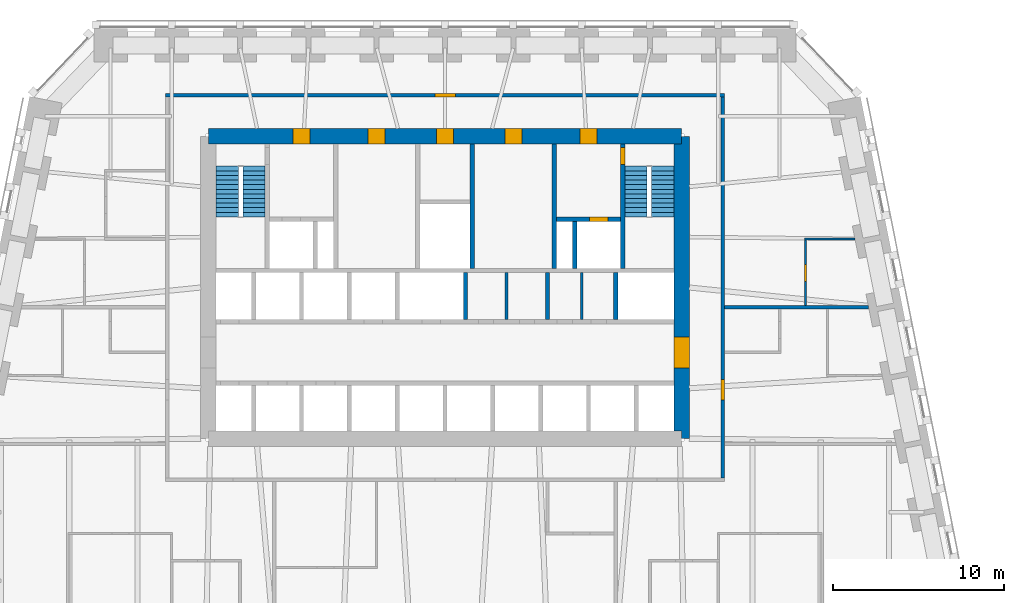
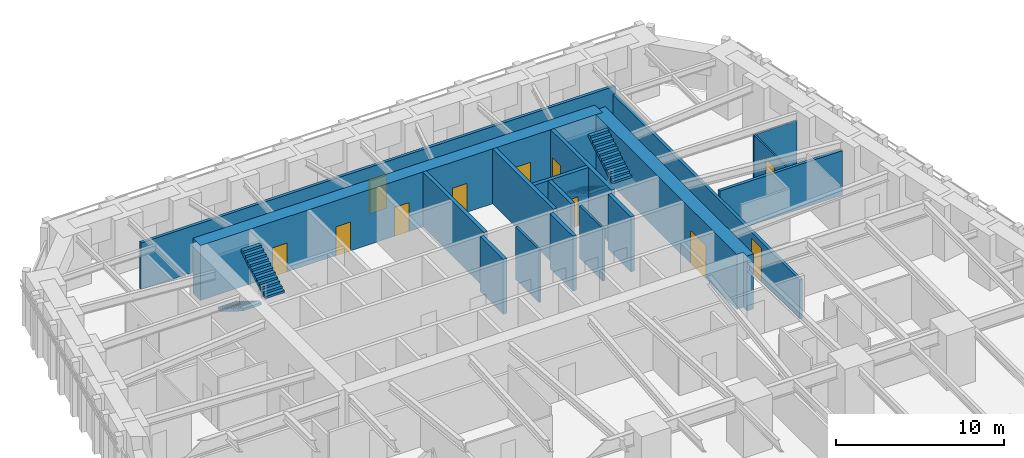
# One storey, part 14 of 16: 17 walls, 11 doors, 4 stair flights, 11 openings, 2 elements without a shape of their own.
"""IFC4 building model written with IfcOpenShell, lengths in metres."""

from ifc_helpers import new_model, si_unit, direction, frame, frame_2d, origin, place, context, subcontext, project, spatial, polyline, rectangle, outline, extrude, material, layer, layer_set, type_object, element, fill, aggregate, save


model = new_model("IFC4")

# Units and contexts
model_context = context("Model", 3, precision=1e-05, world=origin(), true_north=direction((0.0, 1.0)))
body_context = subcontext(model_context, "Body", "Model", "MODEL_VIEW")
ifc_project = project(units=[si_unit("LENGTHUNIT", "METRE"), si_unit("AREAUNIT", "SQUARE_METRE"), si_unit("VOLUMEUNIT", "CUBIC_METRE"), si_unit("PLANEANGLEUNIT", "RADIAN"), si_unit("MASSUNIT", "GRAM", prefix="KILO")], contexts=[model_context])

# Site, building, storey
site_placement = place(None, origin())
site = spatial("IfcSite", under=ifc_project, at=site_placement, CompositionType="ELEMENT")
building_placement = place(site_placement, origin())
building = spatial("IfcBuilding", under=site, at=building_placement, Name="Isbrekke Arena Tower", CompositionType="ELEMENT")
storey_placement = place(building_placement, frame((0.0, 0.0, 40.0)))
storey = spatial("IfcBuildingStorey", under=building, at=storey_placement, Name="L07", CompositionType="ELEMENT", Elevation=40.0)

# Wall, opening, door
ifc_material_1 = material(Name="Concrete B65 (C65/80)", Category="concrete")
ifc_layer_1 = layer(ifc_material_1, 0.89990234375)
ifc_layer_set_1 = layer_set([ifc_layer_1], Name="CW2 CORE WALL 900")
wall_type_1 = type_object("IfcWallType", Name="CW2 CORE WALL 900", PredefinedType="SHEAR", material=ifc_layer_set_1)
wall_1_placement = place(storey_placement, frame((13.85009765625, 6.14990234375, 0.0), z_axis=(0.0, 0.0, 1.0), x_axis=(0.0, 1.0, 0.0)))
wall_1 = element("IfcWall", 1, at=wall_1_placement, inside=storey, type_object=wall_type_1, Name="Core wall E L07", PredefinedType="SHEAR", context=body_context, shape_type="SweptSolid", body=[
    extrude(outline(polyline([(0.0, -0.449951171875), (17.7001953125, -0.449951171875), (17.7001953125, 0.0), (17.250244140625, 0.0), (17.250244140625, 0.449951171875), (0.449951171875, 0.449951171875), (0.449951171875, 0.0), (0.0, 0.0), (0.0, -0.449951171875)])), origin(), (0.0, 0.0, 1.0), 4.0),
])
opening_1_placement = place(wall_1_placement, frame((4.14990234375, 0.0, 0.0)))
opening_1 = element("IfcOpeningElement", 2, at=opening_1_placement, cuts=wall_1, Name="Opening D1", PredefinedType="OPENING", context=body_context, shape_type="SweptSolid", body=[
    extrude(rectangle(XDim=1.800048828125, YDim=2.39990234375, at=frame_2d((0.89990234375, 1.199951171875))), frame((0.0, 0.46484375, 0.0), z_axis=(0.0, -1.0, 0.0), x_axis=(1.0, 0.0, 0.0)), (0.0, 0.0, 1.0), 0.9296875),
])
ifc_material_2 = material(Name="Steel-framed glazed fire door", Category="steel")
door_type_1 = type_object("IfcDoorType", Name="D1 CORE LOBBY DOOR 1800 x 2400", OperationType="DOUBLE_DOOR_SINGLE_SWING", PredefinedType="DOOR", material=ifc_material_2)
door_1_placement = place(opening_1_placement, origin())
door_1 = element("IfcDoor", 3, at=door_1_placement, inside=storey, type_object=door_type_1, Name="D1 lift lobby door east L07", OperationType="DOUBLE_DOOR_SINGLE_SWING", OverallHeight=2.39990234375, OverallWidth=1.800048828125, PredefinedType="DOOR", context=body_context, shape_type="SweptSolid", body=[
    extrude(rectangle(XDim=1.800048828125, YDim=2.39990234375, at=frame_2d((0.89990234375, 1.199951171875))), frame((0.0, 0.44970703125, 0.0), z_axis=(0.0, -1.0, 0.0), x_axis=(1.0, 0.0, 0.0)), (0.0, 0.0, 1.0), 0.8994140625),
])
fill(opening_1, door_1)

# Wall, openings, doors
wall_2_placement = place(storey_placement, frame((13.85009765625, 23.85009765625, 0.0), z_axis=(0.0, 0.0, 1.0), x_axis=(-1.0, 0.0, 0.0)))
wall_2 = element("IfcWall", 4, at=wall_2_placement, inside=storey, type_object=wall_type_1, Name="Core wall N L07", PredefinedType="SHEAR", context=body_context, shape_type="SweptSolid", body=[
    extrude(rectangle(XDim=27.7001953125, YDim=0.89990234375, at=frame_2d((13.85009765625, 0.0))), origin(), (0.0, 0.0, 1.0), 4.0),
])
opening_2_placement = place(wall_2_placement, frame((21.75, 0.0, 0.0)))
opening_2 = element("IfcOpeningElement", 5, at=opening_2_placement, cuts=wall_2, Name="Opening D3", PredefinedType="OPENING", context=body_context, shape_type="SweptSolid", body=[
    extrude(rectangle(XDim=1.0, YDim=2.10009765625, at=frame_2d((0.5, 1.050048828125))), frame((0.0, 0.46484375, 0.0), z_axis=(0.0, -1.0, 0.0), x_axis=(1.0, 0.0, 0.0)), (0.0, 0.0, 1.0), 0.9296875),
])
opening_3_placement = place(wall_2_placement, frame((4.949951171875, 0.0, 0.0)))
opening_3 = element("IfcOpeningElement", 6, at=opening_3_placement, cuts=wall_2, Name="Opening D3", PredefinedType="OPENING", context=body_context, shape_type="SweptSolid", body=[
    extrude(rectangle(XDim=1.0, YDim=2.10009765625, at=frame_2d((0.5, 1.050048828125))), frame((0.0, 0.46484375, 0.0), z_axis=(0.0, -1.0, 0.0), x_axis=(1.0, 0.0, 0.0)), (0.0, 0.0, 1.0), 0.9296875),
])
opening_4_placement = place(wall_2_placement, frame((17.35009765625, 0.0, 0.0)))
opening_4 = element("IfcOpeningElement", 7, at=opening_4_placement, cuts=wall_2, Name="Opening D4", PredefinedType="OPENING", context=body_context, shape_type="SweptSolid", body=[
    extrude(rectangle(XDim=1.0, YDim=2.10009765625, at=frame_2d((0.5, 1.050048828125))), frame((0.0, 0.46484375, 0.0), z_axis=(0.0, -1.0, 0.0), x_axis=(1.0, 0.0, 0.0)), (0.0, 0.0, 1.0), 0.9296875),
])
opening_5_placement = place(wall_2_placement, frame((13.35009765625, 0.0, 0.0)))
opening_5 = element("IfcOpeningElement", 8, at=opening_5_placement, cuts=wall_2, Name="Opening D4", PredefinedType="OPENING", context=body_context, shape_type="SweptSolid", body=[
    extrude(rectangle(XDim=1.0, YDim=2.10009765625, at=frame_2d((0.5, 1.050048828125))), frame((0.0, 0.46484375, 0.0), z_axis=(0.0, -1.0, 0.0), x_axis=(1.0, 0.0, 0.0)), (0.0, 0.0, 1.0), 0.9296875),
])
opening_6_placement = place(wall_2_placement, frame((9.35009765625, 0.0, 0.0)))
opening_6 = element("IfcOpeningElement", 9, at=opening_6_placement, cuts=wall_2, Name="Opening D4", PredefinedType="OPENING", context=body_context, shape_type="SweptSolid", body=[
    extrude(rectangle(XDim=1.0, YDim=2.10009765625, at=frame_2d((0.5, 1.050048828125))), frame((0.0, 0.46484375, 0.0), z_axis=(0.0, -1.0, 0.0), x_axis=(1.0, 0.0, 0.0)), (0.0, 0.0, 1.0), 0.9296875),
])
ifc_material_3 = material(Name="Steel fire door", Category="steel")
door_type_2 = type_object("IfcDoorType", Name="D3 FIRE LOBBY DOOR 1000 x 2100", OperationType="SINGLE_SWING_RIGHT", PredefinedType="DOOR", material=ifc_material_3)
door_2_placement = place(opening_2_placement, origin())
door_2 = element("IfcDoor", 10, at=door_2_placement, inside=storey, type_object=door_type_2, Name="D3 fire-fighting lobby door L07", OperationType="SINGLE_SWING_RIGHT", OverallHeight=2.10009765625, OverallWidth=1.0, PredefinedType="DOOR", context=body_context, shape_type="SweptSolid", body=[
    extrude(rectangle(XDim=1.0, YDim=2.10009765625, at=frame_2d((0.5, 1.050048828125))), frame((0.0, 0.44970703125, 0.0), z_axis=(0.0, -1.0, 0.0), x_axis=(1.0, 0.0, 0.0)), (0.0, 0.0, 1.0), 0.8994140625),
])
fill(opening_2, door_2)
door_3_placement = place(opening_3_placement, origin())
door_3 = element("IfcDoor", 11, at=door_3_placement, inside=storey, type_object=door_type_2, Name="D3 fire-fighting lobby door L07", OperationType="SINGLE_SWING_RIGHT", OverallHeight=2.10009765625, OverallWidth=1.0, PredefinedType="DOOR", context=body_context, shape_type="SweptSolid", body=[
    extrude(rectangle(XDim=1.0, YDim=2.10009765625, at=frame_2d((0.5, 1.050048828125))), frame((0.0, 0.44970703125, 0.0), z_axis=(0.0, -1.0, 0.0), x_axis=(1.0, 0.0, 0.0)), (0.0, 0.0, 1.0), 0.8994140625),
])
fill(opening_3, door_3)
ifc_material_4 = material(Name="Timber door", Category="wood")
door_type_3 = type_object("IfcDoorType", Name="D4 WC DOOR 1000 x 2100", OperationType="SINGLE_SWING_LEFT", PredefinedType="DOOR", material=ifc_material_4)
door_4_placement = place(opening_4_placement, origin())
door_4 = element("IfcDoor", 12, at=door_4_placement, inside=storey, type_object=door_type_3, Name="D4 wc female door L07", OperationType="SINGLE_SWING_LEFT", OverallHeight=2.10009765625, OverallWidth=1.0, PredefinedType="DOOR", context=body_context, shape_type="SweptSolid", body=[
    extrude(rectangle(XDim=1.0, YDim=2.10009765625, at=frame_2d((0.5, 1.050048828125))), frame((0.0, 0.44970703125, 0.0), z_axis=(0.0, -1.0, 0.0), x_axis=(1.0, 0.0, 0.0)), (0.0, 0.0, 1.0), 0.8994140625),
])
fill(opening_4, door_4)
door_5_placement = place(opening_5_placement, origin())
door_5 = element("IfcDoor", 13, at=door_5_placement, inside=storey, type_object=door_type_3, Name="D4 accessible wc door L07", OperationType="SINGLE_SWING_LEFT", OverallHeight=2.10009765625, OverallWidth=1.0, PredefinedType="DOOR", context=body_context, shape_type="SweptSolid", body=[
    extrude(rectangle(XDim=1.0, YDim=2.10009765625, at=frame_2d((0.5, 1.050048828125))), frame((0.0, 0.44970703125, 0.0), z_axis=(0.0, -1.0, 0.0), x_axis=(1.0, 0.0, 0.0)), (0.0, 0.0, 1.0), 0.8994140625),
])
fill(opening_5, door_5)
door_6_placement = place(opening_6_placement, origin())
door_6 = element("IfcDoor", 14, at=door_6_placement, inside=storey, type_object=door_type_3, Name="D4 wc male door L07", OperationType="SINGLE_SWING_LEFT", OverallHeight=2.10009765625, OverallWidth=1.0, PredefinedType="DOOR", context=body_context, shape_type="SweptSolid", body=[
    extrude(rectangle(XDim=1.0, YDim=2.10009765625, at=frame_2d((0.5, 1.050048828125))), frame((0.0, 0.44970703125, 0.0), z_axis=(0.0, -1.0, 0.0), x_axis=(1.0, 0.0, 0.0)), (0.0, 0.0, 1.0), 0.8994140625),
])
fill(opening_6, door_6)

# Walls
ifc_material_5 = material(Name="Concrete B45 (C45/55)", Category="concrete")
ifc_layer_2 = layer(ifc_material_5, 0.25)
ifc_layer_set_2 = layer_set([ifc_layer_2], Name="CW6 SHAFT WALL 250")
wall_type_2 = type_object("IfcWallType", Name="CW6 SHAFT WALL 250", PredefinedType="SHEAR", material=ifc_layer_set_2)
for number, where, z_axis, x_axis, name in (
    (15, (1.199951171875, 13.125, 0.0), (0.0, 0.0, 1.0), (0.0, 1.0, 0.0), "Core wall SN05 L07"),
    (16, (6.0, 13.125, 0.0), (0.0, 0.0, 1.0), (0.0, 1.0, 0.0), "Core wall SN06 L07"),
    (17, (10.0, 13.125, 0.0), (0.0, 0.0, 1.0), (0.0, 1.0, 0.0), "Core wall SN07 L07"),
):
    element("IfcWall", number, at=place(storey_placement, frame(where, z_axis=z_axis, x_axis=x_axis)), inside=storey, type_object=wall_type_2, Name=name, PredefinedType="SHEAR", context=body_context, shape_type="SweptSolid", body=[
        extrude(rectangle(XDim=2.75, YDim=0.25, at=frame_2d((1.375, 0.0))), origin(), (0.0, 0.0, 1.0), 4.0),
    ])
for number, where, z_axis, x_axis, name in (
    (18, (1.60009765625, 16.125, 0.0), (0.0, 0.0, 1.0), (0.0, 1.0, 0.0), "Core wall NV04 L07"),
    (19, (6.39990234375, 16.125, 0.0), (0.0, 0.0, 1.0), (0.0, 1.0, 0.0), "Core wall NV05 L07"),
):
    element("IfcWall", number, at=place(storey_placement, frame(where, z_axis=z_axis, x_axis=x_axis)), inside=storey, type_object=wall_type_2, Name=name, PredefinedType="SHEAR", context=body_context, shape_type="SweptSolid", body=[
        extrude(rectangle(XDim=7.27490234375, YDim=0.25, at=frame_2d((3.637451171875, 0.0))), origin(), (0.0, 0.0, 1.0), 4.0),
    ])

# Wall, opening, door
wall_3_placement = place(storey_placement, frame((10.39990234375, 16.125, 0.0), z_axis=(0.0, 0.0, 1.0), x_axis=(0.0, 1.0, 0.0)))
wall_3 = element("IfcWall", 20, at=wall_3_placement, inside=storey, type_object=wall_type_2, Name="Core wall NV06 L07", PredefinedType="SHEAR", context=body_context, shape_type="SweptSolid", body=[
    extrude(rectangle(XDim=7.27490234375, YDim=0.25, at=frame_2d((3.637451171875, 0.0))), origin(), (0.0, 0.0, 1.0), 4.0),
])
opening_7_placement = place(wall_3_placement, frame((6.074951171875, 0.0, 0.0)))
opening_7 = element("IfcOpeningElement", 21, at=opening_7_placement, cuts=wall_3, Name="Opening D2", PredefinedType="OPENING", context=body_context, shape_type="SweptSolid", body=[
    extrude(rectangle(XDim=1.0, YDim=2.10009765625, at=frame_2d((0.5, 1.050048828125))), frame((0.0, 0.139892578125, 0.0), z_axis=(0.0, -1.0, 0.0), x_axis=(1.0, 0.0, 0.0)), (0.0, 0.0, 1.0), 0.27978515625),
])
ifc_material_6 = material(Name="Steel fire door", Category="steel")
door_type_4 = type_object("IfcDoorType", Name="D2 STAIR DOOR 1000 x 2100", OperationType="SINGLE_SWING_LEFT", PredefinedType="DOOR", material=ifc_material_6)
door_7_placement = place(opening_7_placement, origin())
door_7 = element("IfcDoor", 22, at=door_7_placement, inside=storey, type_object=door_type_4, Name="D2 stair door ST2 L07", OperationType="SINGLE_SWING_LEFT", OverallHeight=2.10009765625, OverallWidth=1.0, PredefinedType="DOOR", context=body_context, shape_type="SweptSolid", body=[
    extrude(rectangle(XDim=1.0, YDim=2.10009765625, at=frame_2d((0.5, 1.050048828125))), frame((0.0, 0.124755859375, 0.0), z_axis=(0.0, -1.0, 0.0), x_axis=(1.0, 0.0, 0.0)), (0.0, 0.0, 1.0), 0.24951171875),
])
fill(opening_7, door_7)

wall_4_placement = place(storey_placement, frame((6.52490234375, 19.0, 0.0), z_axis=(0.0, 0.0, 1.0), x_axis=(1.0, 0.0, 0.0)))
wall_4 = element("IfcWall", 23, at=wall_4_placement, inside=storey, type_object=wall_type_2, Name="Core wall NFE L07", PredefinedType="SHEAR", context=body_context, shape_type="SweptSolid", body=[
    extrude(rectangle(XDim=3.75, YDim=0.25, at=frame_2d((1.875, 0.0))), origin(), (0.0, 0.0, 1.0), 4.0),
])
opening_8_placement = place(wall_4_placement, frame((1.925048828125, 0.0, 0.0)))
opening_8 = element("IfcOpeningElement", 24, at=opening_8_placement, cuts=wall_4, Name="Opening LD2", PredefinedType="OPENING", context=body_context, shape_type="SweptSolid", body=[
    extrude(rectangle(XDim=1.10009765625, YDim=2.10009765625, at=frame_2d((0.550048828125, 1.050048828125))), frame((0.0, 0.139892578125, 0.0), z_axis=(0.0, -1.0, 0.0), x_axis=(1.0, 0.0, 0.0)), (0.0, 0.0, 1.0), 0.27978515625),
])
ifc_material_7 = material(Name="Stainless steel lift landing door", Category="steel")
door_type_5 = type_object("IfcDoorType", Name="LD2 FIRE-FIGHTING LIFT LANDING DOOR 1100 x 2100", OperationType="SLIDING_TO_RIGHT", PredefinedType="DOOR", material=ifc_material_7)
door_8_placement = place(opening_8_placement, origin())
door_8 = element("IfcDoor", 25, at=door_8_placement, inside=storey, type_object=door_type_5, Name="LD2 lift landing door LF L07", OperationType="SLIDING_TO_RIGHT", OverallHeight=2.10009765625, OverallWidth=1.10009765625, PredefinedType="DOOR", context=body_context, shape_type="SweptSolid", body=[
    extrude(rectangle(XDim=1.10009765625, YDim=2.10009765625, at=frame_2d((0.550048828125, 1.050048828125))), frame((0.0, 0.124755859375, 0.0), z_axis=(0.0, -1.0, 0.0), x_axis=(1.0, 0.0, 0.0)), (0.0, 0.0, 1.0), 0.24951171875),
])
fill(opening_8, door_8)

# Walls
wall_5_placement = place(storey_placement, frame((7.60009765625, 16.125, 0.0), z_axis=(0.0, 0.0, 1.0), x_axis=(0.0, 1.0, 0.0)))
element("IfcWall", 26, at=wall_5_placement, inside=storey, type_object=wall_type_2, Name="Core wall NFS2 L07", PredefinedType="SHEAR", context=body_context, shape_type="SweptSolid", body=[
    extrude(rectangle(XDim=2.75, YDim=0.25, at=frame_2d((1.375, 0.0))), origin(), (0.0, 0.0, 1.0), 4.0),
])
ifc_material_8 = material(Name="Frameless glazed partition, laminated acoustic glass", Category="glass")
ifc_layer_3 = layer(ifc_material_8, 0.1201171875)
ifc_layer_set_3 = layer_set([ifc_layer_3], Name="IW2 GLAZED PARTITION 120")
wall_type_3 = type_object("IfcWallType", Name="IW2 GLAZED PARTITION 120", PredefinedType="PARTITIONING", material=ifc_layer_set_3)
wall_6_placement = place(storey_placement, frame((21.0400390625, 17.840087890625, 0.0), z_axis=(0.0, 0.0, 1.0), x_axis=(1.0, 0.0, 0.0)))
element("IfcWall", 27, at=wall_6_placement, inside=storey, type_object=wall_type_3, Name="IW2 glazed partition 120 L07", PredefinedType="PARTITIONING", context=body_context, shape_type="SweptSolid", body=[
    extrude(rectangle(XDim=2.956298828125, YDim=0.1201171875, at=frame_2d((1.47802734375, 0.0))), origin(), (0.0, 0.0, 1.0), 3.25),
])

# Wall, opening, door
wall_7_placement = place(storey_placement, frame((21.10009765625, 13.93994140625, 0.0), z_axis=(0.0, 0.0, 1.0), x_axis=(0.0, 1.0, 0.0)))
wall_7 = element("IfcWall", 28, at=wall_7_placement, inside=storey, type_object=wall_type_3, Name="IW2 glazed partition 120 L07", PredefinedType="PARTITIONING", context=body_context, shape_type="SweptSolid", body=[
    extrude(rectangle(XDim=3.840087890625, YDim=0.1201171875, at=frame_2d((1.919921875, 0.0))), origin(), (0.0, 0.0, 1.0), 3.25),
])
opening_9_placement = place(wall_7_placement, frame((1.39990234375, 0.0, 0.0)))
opening_9 = element("IfcOpeningElement", 29, at=opening_9_placement, cuts=wall_7, Name="Opening D11", PredefinedType="OPENING", context=body_context, shape_type="SweptSolid", body=[
    extrude(rectangle(XDim=1.0, YDim=2.39990234375, at=frame_2d((0.5, 1.199951171875))), frame((0.0, 0.074951171875, 0.0), z_axis=(0.0, -1.0, 0.0), x_axis=(1.0, 0.0, 0.0)), (0.0, 0.0, 1.0), 0.14990234375),
])
ifc_material_9 = material(Name="Frameless glazed door", Category="glass")
door_type_6 = type_object("IfcDoorType", Name="D11 GLAZED MEETING ROOM DOOR 1000 x 2400", OperationType="SINGLE_SWING_RIGHT", PredefinedType="DOOR", material=ifc_material_9)
door_9_placement = place(opening_9_placement, origin())
door_9 = element("IfcDoor", 30, at=door_9_placement, inside=storey, type_object=door_type_6, Name="D11 meeting room door L07", OperationType="SINGLE_SWING_RIGHT", OverallHeight=2.39990234375, OverallWidth=1.0, PredefinedType="DOOR", context=body_context, shape_type="SweptSolid", body=[
    extrude(rectangle(XDim=1.0, YDim=2.39990234375, at=frame_2d((0.5, 1.199951171875))), frame((0.0, 0.059814453125, 0.0), z_axis=(0.0, -1.0, 0.0), x_axis=(1.0, 0.0, 0.0)), (0.0, 0.0, 1.0), 0.11962890625),
])
fill(opening_9, door_9)

# Wall
ifc_material_10 = material(Name="Gypsum board fire-cell wall on steel studs, two layers each side", Category="steel")
ifc_layer_4 = layer(ifc_material_10, 0.199951171875)
ifc_layer_set_4 = layer_set([ifc_layer_4], Name="IW3 FIRE-CELL WALL 200")
wall_type_4 = type_object("IfcWallType", Name="IW3 FIRE-CELL WALL 200", PredefinedType="PARTITIONING", material=ifc_layer_set_4)
wall_8_placement = place(storey_placement, frame((16.35009765625, 13.840087890625, 0.0), z_axis=(0.0, 0.0, 1.0), x_axis=(1.0, 0.0, 0.0)))
element("IfcWall", 31, at=wall_8_placement, inside=storey, type_object=wall_type_4, Name="IW3 fire-cell wall 200 L07", PredefinedType="PARTITIONING", context=body_context, shape_type="SweptSolid", body=[
    extrude(rectangle(XDim=8.4462890625, YDim=0.199951171875, at=frame_2d((4.22314453125, 0.0))), origin(), (0.0, 0.0, 1.0), 3.25),
])

# Wall, opening, door
wall_9_placement = place(storey_placement, frame((-16.35009765625, 26.25, 0.0), z_axis=(0.0, 0.0, 1.0), x_axis=(1.0, 0.0, 0.0)))
wall_9 = element("IfcWall", 32, at=wall_9_placement, inside=storey, type_object=wall_type_4, Name="IW3 fire-cell wall 200 L07", PredefinedType="PARTITIONING", context=body_context, shape_type="SweptSolid", body=[
    extrude(rectangle(XDim=32.7001953125, YDim=0.199951171875, at=frame_2d((16.35009765625, 0.0))), origin(), (0.0, 0.0, 1.0), 3.39990234375),
])
opening_10_placement = place(wall_9_placement, frame((15.75, 0.0, 0.0)))
opening_10 = element("IfcOpeningElement", 33, at=opening_10_placement, cuts=wall_9, Name="Opening D12", PredefinedType="OPENING", context=body_context, shape_type="SweptSolid", body=[
    extrude(rectangle(XDim=1.199951171875, YDim=2.39990234375, at=frame_2d((0.60009765625, 1.199951171875))), frame((0.0, 0.11474609375, 0.0), z_axis=(0.0, -1.0, 0.0), x_axis=(1.0, 0.0, 0.0)), (0.0, 0.0, 1.0), 0.229736328125),
])
ifc_material_11 = material(Name="Timber fire door with vision panel", Category="wood")
door_type_7 = type_object("IfcDoorType", Name="D12 SUITE ENTRANCE DOOR 1200 x 2400", OperationType="SINGLE_SWING_LEFT", PredefinedType="DOOR", material=ifc_material_11)
door_10_placement = place(opening_10_placement, origin())
door_10 = element("IfcDoor", 34, at=door_10_placement, inside=storey, type_object=door_type_7, Name="D12 suite entrance N door L07", OperationType="SINGLE_SWING_LEFT", OverallHeight=2.39990234375, OverallWidth=1.199951171875, PredefinedType="DOOR", context=body_context, shape_type="SweptSolid", body=[
    extrude(rectangle(XDim=1.199951171875, YDim=2.39990234375, at=frame_2d((0.60009765625, 1.199951171875))), frame((0.0, 0.099609375, 0.0), z_axis=(0.0, -1.0, 0.0), x_axis=(1.0, 0.0, 0.0)), (0.0, 0.0, 1.0), 0.199462890625),
])
fill(opening_10, door_10)

wall_10_placement = place(storey_placement, frame((16.25, 3.85009765625, 0.0), z_axis=(0.0, 0.0, 1.0), x_axis=(0.0, 1.0, 0.0)))
wall_10 = element("IfcWall", 35, at=wall_10_placement, inside=storey, type_object=wall_type_4, Name="IW3 fire-cell wall 200 L07", PredefinedType="PARTITIONING", context=body_context, shape_type="SweptSolid", body=[
    extrude(rectangle(XDim=22.2998046875, YDim=0.199951171875, at=frame_2d((11.14990234375, 0.0))), origin(), (0.0, 0.0, 1.0), 2.842041015625),
])
opening_11_placement = place(wall_10_placement, frame((4.550048828125, 0.0, 0.0)))
opening_11 = element("IfcOpeningElement", 36, at=opening_11_placement, cuts=wall_10, Name="Opening D12", PredefinedType="OPENING", context=body_context, shape_type="SweptSolid", body=[
    extrude(rectangle(XDim=1.199951171875, YDim=2.39990234375, at=frame_2d((0.60009765625, 1.199951171875))), frame((0.0, 0.11474609375, 0.0), z_axis=(0.0, -1.0, 0.0), x_axis=(1.0, 0.0, 0.0)), (0.0, 0.0, 1.0), 0.229736328125),
])
door_11_placement = place(opening_11_placement, origin())
door_11 = element("IfcDoor", 37, at=door_11_placement, inside=storey, type_object=door_type_7, Name="D12 suite entrance E door L07", OperationType="SINGLE_SWING_LEFT", OverallHeight=2.39990234375, OverallWidth=1.199951171875, PredefinedType="DOOR", context=body_context, shape_type="SweptSolid", body=[
    extrude(rectangle(XDim=1.199951171875, YDim=2.39990234375, at=frame_2d((0.60009765625, 1.199951171875))), frame((0.0, 0.099609375, 0.0), z_axis=(0.0, -1.0, 0.0), x_axis=(1.0, 0.0, 0.0)), (0.0, 0.0, 1.0), 0.199462890625),
])
fill(opening_11, door_11)

# Walls
ifc_material_12 = material(Name="Gypsum board fire-rated partition on steel studs, two layers each side", Category="steel")
ifc_layer_5 = layer(ifc_material_12, 0.14990234375)
ifc_layer_set_5 = layer_set([ifc_layer_5], Name="IW5 FIRE-RATED PARTITION 150")
wall_type_5 = type_object("IfcWallType", Name="IW5 FIRE-RATED PARTITION 150", PredefinedType="PARTITIONING", material=ifc_layer_set_5)
for number, where, z_axis, x_axis, name in (
    (38, (3.60009765625, 13.125, 0.0), (0.0, 0.0, 1.0), (0.0, 1.0, 0.0), "IW5 fire-rated partition L07 core service rooms 1"),
    (39, (8.0, 13.125, 0.0), (0.0, 0.0, 1.0), (0.0, 1.0, 0.0), "IW5 fire-rated partition L07 core service rooms 2"),
):
    element("IfcWall", number, at=place(storey_placement, frame(where, z_axis=z_axis, x_axis=x_axis)), inside=storey, type_object=wall_type_5, Name=name, PredefinedType="PARTITIONING", context=body_context, shape_type="SweptSolid", body=[
        extrude(rectangle(XDim=2.75, YDim=0.14990234375, at=frame_2d((1.375, 0.0))), origin(), (0.0, 0.0, 1.0), 3.85009765625),
    ])

# Stair, stair flights
ifc_material_13 = material(Name="Concrete B45 (C45/55) precast", Category="concrete")
stair_type = type_object("IfcStairType", Name="ST40 STAIR 1300 WIDE, 24 RISERS 167", PredefinedType="HALF_TURN_STAIR", material=ifc_material_13)
stair_1_placement = place(storey_placement, origin())
stair_1 = element("IfcStair", 40, at=stair_1_placement, inside=storey, type_object=stair_type, Name="ST1 stair L07", PredefinedType="HALF_TURN_STAIR")
ifc_material_14 = material(Name="Concrete B45 (C45/55) precast", Category="concrete")
stair_flight_type = type_object("IfcStairFlightType", Name="SF 1300 FLIGHT", PredefinedType="STRAIGHT", material=ifc_material_14)
stair_flight_1_placement = place(storey_placement, frame((-12.75, 22.10009765625, 0.0), z_axis=(0.0, 0.0, 1.0), x_axis=(0.0, -1.0, 0.0)))
stair_flight_1 = element("IfcStairFlight", 41, at=stair_flight_1_placement, type_object=stair_flight_type, Name="ST1 flight 1", NumberOfRisers=12, NumberOfTreads=11, PredefinedType="STRAIGHT", RiserHeight=0.166666667, TreadLength=0.27, context=body_context, shape_type="SweptSolid", body=[
    extrude(outline(polyline([(0.0, 0.0), (0.0, 0.166748046875), (0.27001953125, 0.166748046875), (0.27001953125, 0.333251953125), (0.5400390625, 0.333251953125), (0.5400390625, 0.5), (0.81005859375, 0.5), (0.81005859375, 0.666748046875), (1.080078125, 0.666748046875), (1.080078125, 0.833251953125), (1.35009765625, 0.833251953125), (1.35009765625, 1.0), (1.6201171875, 1.0), (1.6201171875, 1.166748046875), (1.889892578125, 1.166748046875), (1.889892578125, 1.333251953125), (2.159912109375, 1.333251953125), (2.159912109375, 1.5), (2.429931640625, 1.5), (2.429931640625, 1.666748046875), (2.699951171875, 1.666748046875), (2.699951171875, 1.833251953125), (2.969970703125, 1.833251953125), (2.969970703125, 2.0), (2.969970703125, 1.6572265625), (0.285400390625, 0.0), (0.0, 0.0)])), frame((0.0, 0.64990234375, 0.0), z_axis=(0.0, -1.0, 0.0), x_axis=(1.0, 0.0, 0.0)), (0.0, 0.0, 1.0), 1.300048828125),
])
stair_flight_2_placement = place(storey_placement, frame((-11.175048828125, 19.1298828125, 2.0), z_axis=(0.0, 0.0, 1.0), x_axis=(0.0, 1.0, 0.0)))
stair_flight_2 = element("IfcStairFlight", 42, at=stair_flight_2_placement, type_object=stair_flight_type, Name="ST1 flight 2", NumberOfRisers=12, NumberOfTreads=11, PredefinedType="STRAIGHT", RiserHeight=0.166666667, TreadLength=0.27, context=body_context, shape_type="SweptSolid", body=[
    extrude(outline(polyline([(0.0, 0.0), (0.0, 0.166748046875), (0.27001953125, 0.166748046875), (0.27001953125, 0.333251953125), (0.5400390625, 0.333251953125), (0.5400390625, 0.5), (0.81005859375, 0.5), (0.81005859375, 0.666748046875), (1.080078125, 0.666748046875), (1.080078125, 0.833251953125), (1.35009765625, 0.833251953125), (1.35009765625, 1.0), (1.6201171875, 1.0), (1.6201171875, 1.166748046875), (1.889892578125, 1.166748046875), (1.889892578125, 1.333251953125), (2.159912109375, 1.333251953125), (2.159912109375, 1.5), (2.429931640625, 1.5), (2.429931640625, 1.666748046875), (2.699951171875, 1.666748046875), (2.699951171875, 1.833251953125), (2.969970703125, 1.833251953125), (2.969970703125, 2.0), (2.969970703125, 1.6572265625), (0.285400390625, 0.0), (0.0, 0.0)])), frame((0.0, 0.64990234375, 0.0), z_axis=(0.0, -1.0, 0.0), x_axis=(1.0, 0.0, 0.0)), (0.0, 0.0, 1.0), 1.300048828125),
])
aggregate(stair_1, [stair_flight_1, stair_flight_2])

stair_2_placement = place(storey_placement, origin())
stair_2 = element("IfcStair", 43, at=stair_2_placement, inside=storey, type_object=stair_type, Name="ST2 stair L07", PredefinedType="HALF_TURN_STAIR")
stair_flight_3_placement = place(storey_placement, frame((11.175048828125, 22.10009765625, 0.0), z_axis=(0.0, 0.0, 1.0), x_axis=(0.0, -1.0, 0.0)))
stair_flight_3 = element("IfcStairFlight", 44, at=stair_flight_3_placement, type_object=stair_flight_type, Name="ST2 flight 1", NumberOfRisers=12, NumberOfTreads=11, PredefinedType="STRAIGHT", RiserHeight=0.166666667, TreadLength=0.27, context=body_context, shape_type="SweptSolid", body=[
    extrude(outline(polyline([(0.0, 0.0), (0.0, 0.166748046875), (0.27001953125, 0.166748046875), (0.27001953125, 0.333251953125), (0.5400390625, 0.333251953125), (0.5400390625, 0.5), (0.81005859375, 0.5), (0.81005859375, 0.666748046875), (1.080078125, 0.666748046875), (1.080078125, 0.833251953125), (1.35009765625, 0.833251953125), (1.35009765625, 1.0), (1.6201171875, 1.0), (1.6201171875, 1.166748046875), (1.889892578125, 1.166748046875), (1.889892578125, 1.333251953125), (2.159912109375, 1.333251953125), (2.159912109375, 1.5), (2.429931640625, 1.5), (2.429931640625, 1.666748046875), (2.699951171875, 1.666748046875), (2.699951171875, 1.833251953125), (2.969970703125, 1.833251953125), (2.969970703125, 2.0), (2.969970703125, 1.6572265625), (0.285400390625, 0.0), (0.0, 0.0)])), frame((0.0, 0.64990234375, 0.0), z_axis=(0.0, -1.0, 0.0), x_axis=(1.0, 0.0, 0.0)), (0.0, 0.0, 1.0), 1.300048828125),
])
stair_flight_4_placement = place(storey_placement, frame((12.75, 19.1298828125, 2.0), z_axis=(0.0, 0.0, 1.0), x_axis=(0.0, 1.0, 0.0)))
stair_flight_4 = element("IfcStairFlight", 45, at=stair_flight_4_placement, type_object=stair_flight_type, Name="ST2 flight 2", NumberOfRisers=12, NumberOfTreads=11, PredefinedType="STRAIGHT", RiserHeight=0.166666667, TreadLength=0.27, context=body_context, shape_type="SweptSolid", body=[
    extrude(outline(polyline([(0.0, 0.0), (0.0, 0.166748046875), (0.27001953125, 0.166748046875), (0.27001953125, 0.333251953125), (0.5400390625, 0.333251953125), (0.5400390625, 0.5), (0.81005859375, 0.5), (0.81005859375, 0.666748046875), (1.080078125, 0.666748046875), (1.080078125, 0.833251953125), (1.35009765625, 0.833251953125), (1.35009765625, 1.0), (1.6201171875, 1.0), (1.6201171875, 1.166748046875), (1.889892578125, 1.166748046875), (1.889892578125, 1.333251953125), (2.159912109375, 1.333251953125), (2.159912109375, 1.5), (2.429931640625, 1.5), (2.429931640625, 1.666748046875), (2.699951171875, 1.666748046875), (2.699951171875, 1.833251953125), (2.969970703125, 1.833251953125), (2.969970703125, 2.0), (2.969970703125, 1.6572265625), (0.285400390625, 0.0), (0.0, 0.0)])), frame((0.0, 0.64990234375, 0.0), z_axis=(0.0, -1.0, 0.0), x_axis=(1.0, 0.0, 0.0)), (0.0, 0.0, 1.0), 1.300048828125),
])
aggregate(stair_2, [stair_flight_3, stair_flight_4])

save(model, "model.ifc")
